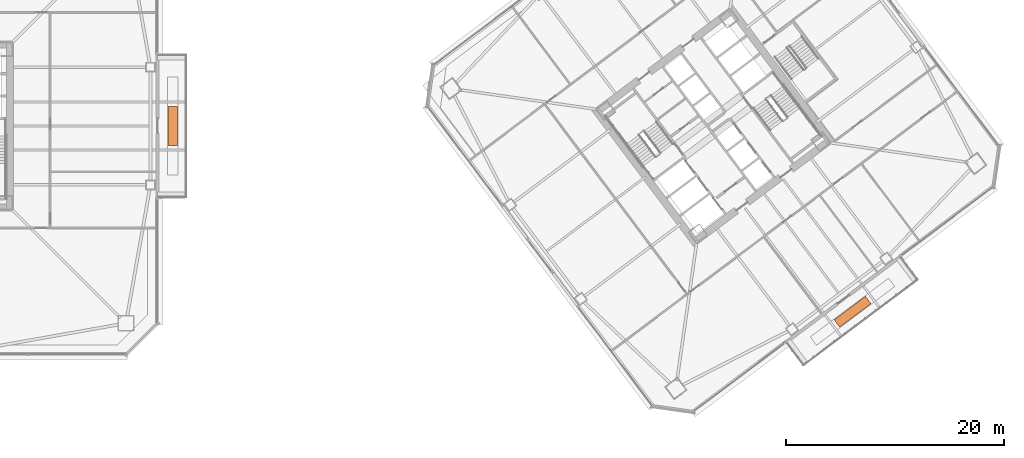
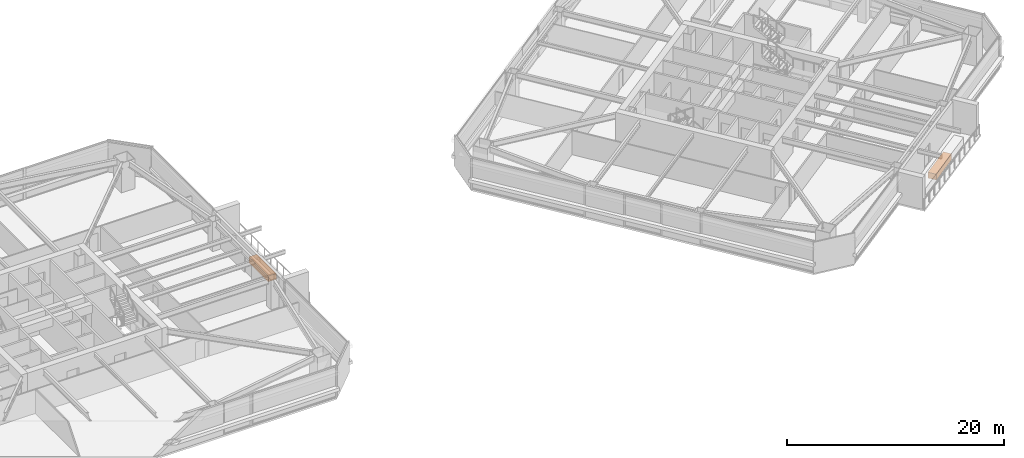
# One storey, part 46 of 46: 2 proxies.
"""IFC4 building model written with IfcOpenShell, lengths in metres."""

from ifc_helpers import new_model, si_unit, direction, frame, origin, origin_2d, place, context, subcontext, project, spatial, rectangle, extrude, material, type_object, element, save


model = new_model("IFC4")

# Units and contexts
model_context = context("Model", 3, precision=1e-05, world=origin(), true_north=direction((0.0, 1.0)))
body_context = subcontext(model_context, "Body", "Model", "MODEL_VIEW")
ifc_project = project(units=[si_unit("LENGTHUNIT", "METRE"), si_unit("AREAUNIT", "SQUARE_METRE"), si_unit("VOLUMEUNIT", "CUBIC_METRE"), si_unit("PLANEANGLEUNIT", "RADIAN"), si_unit("MASSUNIT", "GRAM", prefix="KILO")], contexts=[model_context])

# Site, building, storey
site_placement = place(None, origin())
site = spatial("IfcSite", under=ifc_project, at=site_placement, CompositionType="ELEMENT")
building_placement = place(site_placement, origin())
building = spatial("IfcBuilding", under=site, at=building_placement, Name="Tashvorn Skyway Center", CompositionType="ELEMENT")
storey_placement = place(building_placement, frame((0.0, 0.0, 99.14990234375)))
storey = spatial("IfcBuildingStorey", under=building, at=storey_placement, Name="L26", CompositionType="ELEMENT", Elevation=99.14990234375)

# Proxies
ifc_material = material(Name="Engineered Mojave xeriscape planter concrete C40/50", Category="concrete")
building_element_proxy_type = type_object("IfcBuildingElementProxyType", Name="FURN-PLANTER", PredefinedType="USERDEFINED", material=ifc_material)
for number, where, z_axis, x_axis, name in (
    (1, (64.39990234375, 32.0, 0.000244140625), (0.0, 0.0, 1.0), (0.0, -1.0, 0.0), "Tower 1 L26 Sky Garden Xeriscape PLANTER"),
    (2, (126.780029296875, 14.9599609375, 0.000244140625), (0.0, 0.0, 1.0), (-0.799999996291, -0.600000004945, 0.0), "Tower 2 L26 Sky Garden Xeriscape PLANTER"),
):
    element("IfcBuildingElementProxy", number, at=place(storey_placement, frame(where, z_axis=z_axis, x_axis=x_axis)), inside=storey, type_object=building_element_proxy_type, Name=name, ObjectType="PLANTER", PredefinedType="USERDEFINED", context=body_context, shape_type="SweptSolid", body=[
        extrude(rectangle(XDim=3.60009765625, YDim=0.85009765625, at=origin_2d()), origin(), (0.0, 0.0, 1.0), 0.64990234375),
    ])

save(model, "model.ifc")
